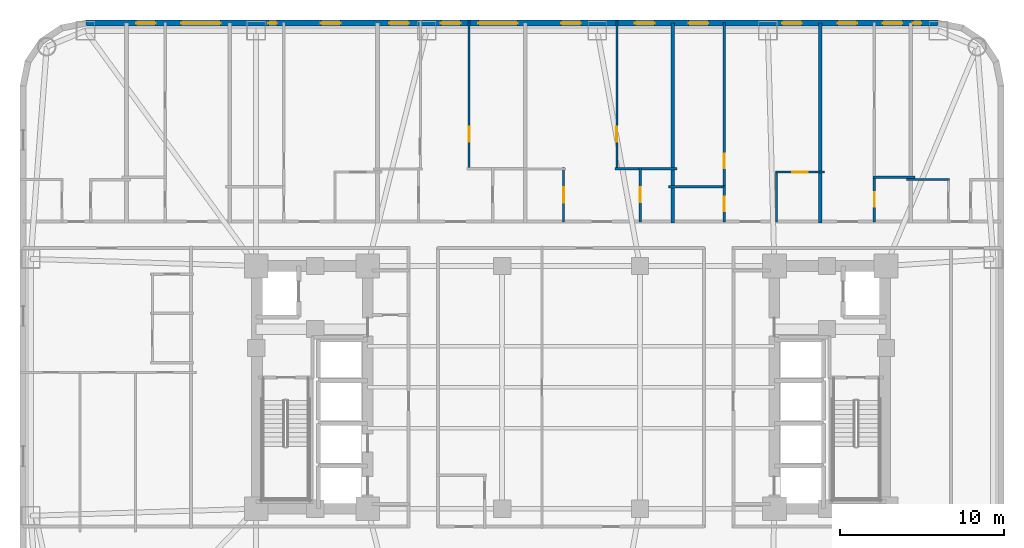
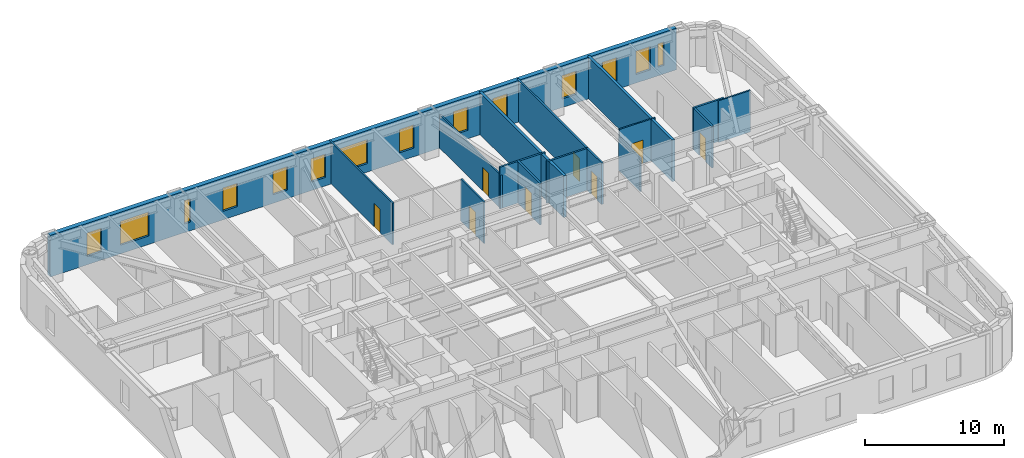
# One storey, part 8 of 11: 16 walls, 14 windows, 8 doors, 22 openings.
"""IFC4 building model written with IfcOpenShell, lengths in metres."""

from ifc_helpers import new_model, si_unit, direction, frame, frame_2d, origin, place, context, subcontext, project, spatial, rectangle, extrude, material, layer, layer_set, type_object, element, fill, save


model = new_model("IFC4")

# Units and contexts
model_context = context("Model", 3, precision=1e-05, world=origin(), true_north=direction((0.0, 1.0)))
body_context = subcontext(model_context, "Body", "Model", "MODEL_VIEW")
ifc_project = project(units=[si_unit("LENGTHUNIT", "METRE"), si_unit("AREAUNIT", "SQUARE_METRE"), si_unit("VOLUMEUNIT", "CUBIC_METRE"), si_unit("PLANEANGLEUNIT", "RADIAN"), si_unit("MASSUNIT", "GRAM", prefix="KILO")], contexts=[model_context])

# Site, building, storey
site_placement = place(None, origin())
site = spatial("IfcSite", under=ifc_project, at=site_placement, CompositionType="ELEMENT")
building_placement = place(site_placement, origin())
building = spatial("IfcBuilding", under=site, at=building_placement, Name="Voryun Gate Residences", CompositionType="ELEMENT")
storey_placement = place(building_placement, frame((0.0, 0.0, 33.800048828125)))
storey = spatial("IfcBuildingStorey", under=building, at=storey_placement, Name="L07", CompositionType="ELEMENT", Elevation=33.800048828125)

# Wall, openings, windows
ifc_material_1 = material(Name="Granite masonry", Category="masonry")
ifc_layer_1 = layer(ifc_material_1, 0.3798828125, Name="W_EXT_GRANITE_380")
ifc_layer_set_1 = layer_set([ifc_layer_1], Name="Granite masonry")
wall_type_1 = type_object("IfcWallType", Name="W_EXT_GRANITE_380", PredefinedType="ELEMENTEDWALL", material=ifc_layer_set_1)
wall_1_placement = place(storey_placement, frame((-29.581298828125, 22.2099609375, 0.0), z_axis=(0.0, 0.0, 1.0), x_axis=(1.0, 0.0, 0.0)))
wall_1 = element("IfcWall", 1, at=wall_1_placement, inside=storey, type_object=wall_type_1, Name="Exterior wall WEXT-L07-11", PredefinedType="ELEMENTEDWALL", context=body_context, shape_type="SweptSolid", body=[
    extrude(rectangle(XDim=51.962646484375, YDim=0.3798828125, at=frame_2d((25.9814453125, 0.0))), origin(), (0.0, 0.0, 1.0), 3.64990234375),
])
opening_1_placement = place(wall_1_placement, frame((5.810302734375, 0.0, 0.75)))
opening_1 = element("IfcOpeningElement", 2, at=opening_1_placement, cuts=wall_1, Name="Opening WN2", PredefinedType="OPENING", context=body_context, shape_type="SweptSolid", body=[
    extrude(rectangle(XDim=2.39990234375, YDim=2.10009765625, at=frame_2d((1.199951171875, 1.050048828125))), frame((0.0, 0.199951171875, 0.0), z_axis=(0.0, -1.0, 0.0), x_axis=(1.0, 0.0, 0.0)), (0.0, 0.0, 1.0), 0.39990234375),
])
opening_2_placement = place(wall_1_placement, frame((23.931396484375, 0.0, 0.75)))
opening_2 = element("IfcOpeningElement", 3, at=opening_2_placement, cuts=wall_1, Name="Opening WN2", PredefinedType="OPENING", context=body_context, shape_type="SweptSolid", body=[
    extrude(rectangle(XDim=2.39990234375, YDim=2.10009765625, at=frame_2d((1.199951171875, 1.050048828125))), frame((0.0, 0.199951171875, 0.0), z_axis=(0.0, -1.0, 0.0), x_axis=(1.0, 0.0, 0.0)), (0.0, 0.0, 1.0), 0.39990234375),
])
opening_3_placement = place(wall_1_placement, frame((3.056396484375, 0.0, 0.75)))
opening_3 = element("IfcOpeningElement", 4, at=opening_3_placement, cuts=wall_1, Name="Opening WN6", PredefinedType="OPENING", context=body_context, shape_type="SweptSolid", body=[
    extrude(rectangle(XDim=1.199951171875, YDim=2.050048828125, at=frame_2d((0.60009765625, 1.02490234375))), frame((0.0, 0.199951171875, 0.0), z_axis=(0.0, -1.0, 0.0), x_axis=(1.0, 0.0, 0.0)), (0.0, 0.0, 1.0), 0.39990234375),
])
opening_4_placement = place(wall_1_placement, frame((11.127197265625, 0.0, 0.75)))
opening_4 = element("IfcOpeningElement", 5, at=opening_4_placement, cuts=wall_1, Name="Opening WN10", PredefinedType="OPENING", context=body_context, shape_type="SweptSolid", body=[
    extrude(rectangle(XDim=0.52001953125, YDim=2.050048828125, at=frame_2d((0.260009765625, 1.02490234375))), frame((0.0, 0.199951171875, 0.0), z_axis=(0.0, -1.0, 0.0), x_axis=(1.0, 0.0, 0.0)), (0.0, 0.0, 1.0), 0.39990234375),
])
opening_5_placement = place(wall_1_placement, frame((14.327392578125, 0.0, 0.75)))
opening_5 = element("IfcOpeningElement", 6, at=opening_5_placement, cuts=wall_1, Name="Opening WN6", PredefinedType="OPENING", context=body_context, shape_type="SweptSolid", body=[
    extrude(rectangle(XDim=1.199951171875, YDim=2.050048828125, at=frame_2d((0.60009765625, 1.02490234375))), frame((0.0, 0.199951171875, 0.0), z_axis=(0.0, -1.0, 0.0), x_axis=(1.0, 0.0, 0.0)), (0.0, 0.0, 1.0), 0.39990234375),
])
opening_6_placement = place(wall_1_placement, frame((21.641357421875, 0.0, 0.75)))
opening_6 = element("IfcOpeningElement", 7, at=opening_6_placement, cuts=wall_1, Name="Opening WN6", PredefinedType="OPENING", context=body_context, shape_type="SweptSolid", body=[
    extrude(rectangle(XDim=1.199951171875, YDim=2.050048828125, at=frame_2d((0.60009765625, 1.02490234375))), frame((0.0, 0.199951171875, 0.0), z_axis=(0.0, -1.0, 0.0), x_axis=(1.0, 0.0, 0.0)), (0.0, 0.0, 1.0), 0.39990234375),
])
opening_7_placement = place(wall_1_placement, frame((18.486328125, 0.0, 0.75)))
opening_7 = element("IfcOpeningElement", 8, at=opening_7_placement, cuts=wall_1, Name="Opening WN6", PredefinedType="OPENING", context=body_context, shape_type="SweptSolid", body=[
    extrude(rectangle(XDim=1.199951171875, YDim=2.050048828125, at=frame_2d((0.60009765625, 1.02490234375))), frame((0.0, 0.199951171875, 0.0), z_axis=(0.0, -1.0, 0.0), x_axis=(1.0, 0.0, 0.0)), (0.0, 0.0, 1.0), 0.39990234375),
])
opening_8_placement = place(wall_1_placement, frame((28.976318359375, 0.0, 0.75)))
opening_8 = element("IfcOpeningElement", 9, at=opening_8_placement, cuts=wall_1, Name="Opening WN6", PredefinedType="OPENING", context=body_context, shape_type="SweptSolid", body=[
    extrude(rectangle(XDim=1.199951171875, YDim=2.050048828125, at=frame_2d((0.60009765625, 1.02490234375))), frame((0.0, 0.199951171875, 0.0), z_axis=(0.0, -1.0, 0.0), x_axis=(1.0, 0.0, 0.0)), (0.0, 0.0, 1.0), 0.39990234375),
])
opening_9_placement = place(wall_1_placement, frame((33.476318359375, 0.0, 0.75)))
opening_9 = element("IfcOpeningElement", 10, at=opening_9_placement, cuts=wall_1, Name="Opening WN6", PredefinedType="OPENING", context=body_context, shape_type="SweptSolid", body=[
    extrude(rectangle(XDim=1.199951171875, YDim=2.050048828125, at=frame_2d((0.60009765625, 1.02490234375))), frame((0.0, 0.199951171875, 0.0), z_axis=(0.0, -1.0, 0.0), x_axis=(1.0, 0.0, 0.0)), (0.0, 0.0, 1.0), 0.39990234375),
])
opening_10_placement = place(wall_1_placement, frame((36.751708984375, 0.0, 0.75)))
opening_10 = element("IfcOpeningElement", 11, at=opening_10_placement, cuts=wall_1, Name="Opening WN6", PredefinedType="OPENING", context=body_context, shape_type="SweptSolid", body=[
    extrude(rectangle(XDim=1.199951171875, YDim=2.050048828125, at=frame_2d((0.60009765625, 1.02490234375))), frame((0.0, 0.199951171875, 0.0), z_axis=(0.0, -1.0, 0.0), x_axis=(1.0, 0.0, 0.0)), (0.0, 0.0, 1.0), 0.39990234375),
])
opening_11_placement = place(wall_1_placement, frame((42.451904296875, 0.0, 0.75)))
opening_11 = element("IfcOpeningElement", 12, at=opening_11_placement, cuts=wall_1, Name="Opening WN6", PredefinedType="OPENING", context=body_context, shape_type="SweptSolid", body=[
    extrude(rectangle(XDim=1.199951171875, YDim=2.050048828125, at=frame_2d((0.60009765625, 1.02490234375))), frame((0.0, 0.199951171875, 0.0), z_axis=(0.0, -1.0, 0.0), x_axis=(1.0, 0.0, 0.0)), (0.0, 0.0, 1.0), 0.39990234375),
])
opening_12_placement = place(wall_1_placement, frame((45.830810546875, 0.0, 0.75)))
opening_12 = element("IfcOpeningElement", 13, at=opening_12_placement, cuts=wall_1, Name="Opening WN6", PredefinedType="OPENING", context=body_context, shape_type="SweptSolid", body=[
    extrude(rectangle(XDim=1.199951171875, YDim=2.050048828125, at=frame_2d((0.60009765625, 1.02490234375))), frame((0.0, 0.199951171875, 0.0), z_axis=(0.0, -1.0, 0.0), x_axis=(1.0, 0.0, 0.0)), (0.0, 0.0, 1.0), 0.39990234375),
])
opening_13_placement = place(wall_1_placement, frame((48.585205078125, 0.0, 0.75)))
opening_13 = element("IfcOpeningElement", 14, at=opening_13_placement, cuts=wall_1, Name="Opening WN6", PredefinedType="OPENING", context=body_context, shape_type="SweptSolid", body=[
    extrude(rectangle(XDim=1.199951171875, YDim=2.050048828125, at=frame_2d((0.60009765625, 1.02490234375))), frame((0.0, 0.199951171875, 0.0), z_axis=(0.0, -1.0, 0.0), x_axis=(1.0, 0.0, 0.0)), (0.0, 0.0, 1.0), 0.39990234375),
])
opening_14_placement = place(wall_1_placement, frame((50.42138671875, 0.0, 0.75)))
opening_14 = element("IfcOpeningElement", 15, at=opening_14_placement, cuts=wall_1, Name="Opening WN10", PredefinedType="OPENING", context=body_context, shape_type="SweptSolid", body=[
    extrude(rectangle(XDim=0.52001953125, YDim=2.050048828125, at=frame_2d((0.260009765625, 1.02490234375))), frame((0.0, 0.199951171875, 0.0), z_axis=(0.0, -1.0, 0.0), x_axis=(1.0, 0.0, 0.0)), (0.0, 0.0, 1.0), 0.39990234375),
])
ifc_material_2 = material(Name="Laminated low-E glass", Category="glass")
window_type_1 = type_object("IfcWindowType", Name="WN_PAGODA_LANCET_520", PartitioningType="SINGLE_PANEL", PredefinedType="WINDOW", material=ifc_material_2)
window_1_placement = place(opening_4_placement, origin())
window_1 = element("IfcWindow", 16, at=window_1_placement, inside=storey, type_object=window_type_1, Name="Window WN-L07-DWFIX-03", OverallHeight=2.050048828125, OverallWidth=0.52001953125, PartitioningType="SINGLE_PANEL", PredefinedType="WINDOW", context=body_context, shape_type="SweptSolid", body=[
    extrude(rectangle(XDim=0.52001953125, YDim=2.050048828125, at=frame_2d((0.260009765625, 1.02490234375))), frame((0.0, 0.030029296875, 0.0), z_axis=(0.0, -1.0, 0.0), x_axis=(1.0, 0.0, 0.0)), (0.0, 0.0, 1.0), 0.06005859375),
])
fill(opening_4, window_1)
window_2_placement = place(opening_14_placement, origin())
window_2 = element("IfcWindow", 17, at=window_2_placement, inside=storey, type_object=window_type_1, Name="Window WN-L07-DWFIX-13", OverallHeight=2.050048828125, OverallWidth=0.52001953125, PartitioningType="SINGLE_PANEL", PredefinedType="WINDOW", context=body_context, shape_type="SweptSolid", body=[
    extrude(rectangle(XDim=0.52001953125, YDim=2.050048828125, at=frame_2d((0.260009765625, 1.02490234375))), frame((0.0, 0.030029296875, 0.0), z_axis=(0.0, -1.0, 0.0), x_axis=(1.0, 0.0, 0.0)), (0.0, 0.0, 1.0), 0.06005859375),
])
fill(opening_14, window_2)
ifc_material_3 = material(Name="Laminated low-E glass", Category="glass")
window_type_2 = type_object("IfcWindowType", Name="WN_POD_SLOT_1200", PartitioningType="SINGLE_PANEL", PredefinedType="WINDOW", material=ifc_material_3)
window_3_placement = place(opening_3_placement, origin())
window_3 = element("IfcWindow", 18, at=window_3_placement, inside=storey, type_object=window_type_2, Name="Window WN-L07-DWFIX-02", OverallHeight=2.050048828125, OverallWidth=1.199951171875, PartitioningType="SINGLE_PANEL", PredefinedType="WINDOW", context=body_context, shape_type="SweptSolid", body=[
    extrude(rectangle(XDim=1.199951171875, YDim=2.050048828125, at=frame_2d((0.60009765625, 1.02490234375))), frame((0.0, 0.030029296875, 0.0), z_axis=(0.0, -1.0, 0.0), x_axis=(1.0, 0.0, 0.0)), (0.0, 0.0, 1.0), 0.06005859375),
])
fill(opening_3, window_3)
window_4_placement = place(opening_5_placement, origin())
window_4 = element("IfcWindow", 19, at=window_4_placement, inside=storey, type_object=window_type_2, Name="Window WN-L07-DWFIX-04", OverallHeight=2.050048828125, OverallWidth=1.199951171875, PartitioningType="SINGLE_PANEL", PredefinedType="WINDOW", context=body_context, shape_type="SweptSolid", body=[
    extrude(rectangle(XDim=1.199951171875, YDim=2.050048828125, at=frame_2d((0.60009765625, 1.02490234375))), frame((0.0, 0.030029296875, 0.0), z_axis=(0.0, -1.0, 0.0), x_axis=(1.0, 0.0, 0.0)), (0.0, 0.0, 1.0), 0.06005859375),
])
fill(opening_5, window_4)
window_5_placement = place(opening_6_placement, origin())
window_5 = element("IfcWindow", 20, at=window_5_placement, inside=storey, type_object=window_type_2, Name="Window WN-L07-DWFIX-05", OverallHeight=2.050048828125, OverallWidth=1.199951171875, PartitioningType="SINGLE_PANEL", PredefinedType="WINDOW", context=body_context, shape_type="SweptSolid", body=[
    extrude(rectangle(XDim=1.199951171875, YDim=2.050048828125, at=frame_2d((0.60009765625, 1.02490234375))), frame((0.0, 0.030029296875, 0.0), z_axis=(0.0, -1.0, 0.0), x_axis=(1.0, 0.0, 0.0)), (0.0, 0.0, 1.0), 0.06005859375),
])
fill(opening_6, window_5)
window_6_placement = place(opening_7_placement, origin())
window_6 = element("IfcWindow", 21, at=window_6_placement, inside=storey, type_object=window_type_2, Name="Window WN-L07-DWFIX-06", OverallHeight=2.050048828125, OverallWidth=1.199951171875, PartitioningType="SINGLE_PANEL", PredefinedType="WINDOW", context=body_context, shape_type="SweptSolid", body=[
    extrude(rectangle(XDim=1.199951171875, YDim=2.050048828125, at=frame_2d((0.60009765625, 1.02490234375))), frame((0.0, 0.030029296875, 0.0), z_axis=(0.0, -1.0, 0.0), x_axis=(1.0, 0.0, 0.0)), (0.0, 0.0, 1.0), 0.06005859375),
])
fill(opening_7, window_6)
window_7_placement = place(opening_8_placement, origin())
window_7 = element("IfcWindow", 22, at=window_7_placement, inside=storey, type_object=window_type_2, Name="Window WN-L07-DWFIX-07", OverallHeight=2.050048828125, OverallWidth=1.199951171875, PartitioningType="SINGLE_PANEL", PredefinedType="WINDOW", context=body_context, shape_type="SweptSolid", body=[
    extrude(rectangle(XDim=1.199951171875, YDim=2.050048828125, at=frame_2d((0.60009765625, 1.02490234375))), frame((0.0, 0.030029296875, 0.0), z_axis=(0.0, -1.0, 0.0), x_axis=(1.0, 0.0, 0.0)), (0.0, 0.0, 1.0), 0.06005859375),
])
fill(opening_8, window_7)
window_8_placement = place(opening_9_placement, origin())
window_8 = element("IfcWindow", 23, at=window_8_placement, inside=storey, type_object=window_type_2, Name="Window WN-L07-DWFIX-08", OverallHeight=2.050048828125, OverallWidth=1.199951171875, PartitioningType="SINGLE_PANEL", PredefinedType="WINDOW", context=body_context, shape_type="SweptSolid", body=[
    extrude(rectangle(XDim=1.199951171875, YDim=2.050048828125, at=frame_2d((0.60009765625, 1.02490234375))), frame((0.0, 0.030029296875, 0.0), z_axis=(0.0, -1.0, 0.0), x_axis=(1.0, 0.0, 0.0)), (0.0, 0.0, 1.0), 0.06005859375),
])
fill(opening_9, window_8)
window_9_placement = place(opening_10_placement, origin())
window_9 = element("IfcWindow", 24, at=window_9_placement, inside=storey, type_object=window_type_2, Name="Window WN-L07-DWFIX-09", OverallHeight=2.050048828125, OverallWidth=1.199951171875, PartitioningType="SINGLE_PANEL", PredefinedType="WINDOW", context=body_context, shape_type="SweptSolid", body=[
    extrude(rectangle(XDim=1.199951171875, YDim=2.050048828125, at=frame_2d((0.60009765625, 1.02490234375))), frame((0.0, 0.030029296875, 0.0), z_axis=(0.0, -1.0, 0.0), x_axis=(1.0, 0.0, 0.0)), (0.0, 0.0, 1.0), 0.06005859375),
])
fill(opening_10, window_9)
window_10_placement = place(opening_11_placement, origin())
window_10 = element("IfcWindow", 25, at=window_10_placement, inside=storey, type_object=window_type_2, Name="Window WN-L07-DWFIX-10", OverallHeight=2.050048828125, OverallWidth=1.199951171875, PartitioningType="SINGLE_PANEL", PredefinedType="WINDOW", context=body_context, shape_type="SweptSolid", body=[
    extrude(rectangle(XDim=1.199951171875, YDim=2.050048828125, at=frame_2d((0.60009765625, 1.02490234375))), frame((0.0, 0.030029296875, 0.0), z_axis=(0.0, -1.0, 0.0), x_axis=(1.0, 0.0, 0.0)), (0.0, 0.0, 1.0), 0.06005859375),
])
fill(opening_11, window_10)
window_11_placement = place(opening_12_placement, origin())
window_11 = element("IfcWindow", 26, at=window_11_placement, inside=storey, type_object=window_type_2, Name="Window WN-L07-DWFIX-11", OverallHeight=2.050048828125, OverallWidth=1.199951171875, PartitioningType="SINGLE_PANEL", PredefinedType="WINDOW", context=body_context, shape_type="SweptSolid", body=[
    extrude(rectangle(XDim=1.199951171875, YDim=2.050048828125, at=frame_2d((0.60009765625, 1.02490234375))), frame((0.0, 0.030029296875, 0.0), z_axis=(0.0, -1.0, 0.0), x_axis=(1.0, 0.0, 0.0)), (0.0, 0.0, 1.0), 0.06005859375),
])
fill(opening_12, window_11)
window_12_placement = place(opening_13_placement, origin())
window_12 = element("IfcWindow", 27, at=window_12_placement, inside=storey, type_object=window_type_2, Name="Window WN-L07-DWFIX-12", OverallHeight=2.050048828125, OverallWidth=1.199951171875, PartitioningType="SINGLE_PANEL", PredefinedType="WINDOW", context=body_context, shape_type="SweptSolid", body=[
    extrude(rectangle(XDim=1.199951171875, YDim=2.050048828125, at=frame_2d((0.60009765625, 1.02490234375))), frame((0.0, 0.030029296875, 0.0), z_axis=(0.0, -1.0, 0.0), x_axis=(1.0, 0.0, 0.0)), (0.0, 0.0, 1.0), 0.06005859375),
])
fill(opening_13, window_12)
ifc_material_4 = material(Name="Laminated low-E glass", Category="glass")
window_type_3 = type_object("IfcWindowType", Name="WN_RES_WIDE_2400", PartitioningType="SINGLE_PANEL", PredefinedType="WINDOW", material=ifc_material_4)
window_13_placement = place(opening_1_placement, origin())
window_13 = element("IfcWindow", 28, at=window_13_placement, inside=storey, type_object=window_type_3, Name="Window WN-WEXT-L07-11-01", OverallHeight=2.10009765625, OverallWidth=2.39990234375, PartitioningType="SINGLE_PANEL", PredefinedType="WINDOW", context=body_context, shape_type="SweptSolid", body=[
    extrude(rectangle(XDim=2.39990234375, YDim=2.10009765625, at=frame_2d((1.199951171875, 1.050048828125))), frame((0.0, 0.030029296875, 0.0), z_axis=(0.0, -1.0, 0.0), x_axis=(1.0, 0.0, 0.0)), (0.0, 0.0, 1.0), 0.06005859375),
])
fill(opening_1, window_13)
window_14_placement = place(opening_2_placement, origin())
window_14 = element("IfcWindow", 29, at=window_14_placement, inside=storey, type_object=window_type_3, Name="Window WN-WEXT-L07-11-02", OverallHeight=2.10009765625, OverallWidth=2.39990234375, PartitioningType="SINGLE_PANEL", PredefinedType="WINDOW", context=body_context, shape_type="SweptSolid", body=[
    extrude(rectangle(XDim=2.39990234375, YDim=2.10009765625, at=frame_2d((1.199951171875, 1.050048828125))), frame((0.0, 0.030029296875, 0.0), z_axis=(0.0, -1.0, 0.0), x_axis=(1.0, 0.0, 0.0)), (0.0, 0.0, 1.0), 0.06005859375),
])
fill(opening_2, window_14)

# Walls
ifc_material_5 = material(Name="Concrete C40/50", Category="concrete")
ifc_layer_2 = layer(ifc_material_5, 0.219970703125, Name="W_PARTY_ACOUSTIC_220")
ifc_layer_set_2 = layer_set([ifc_layer_2], Name="Concrete C40/50")
wall_type_2 = type_object("IfcWallType", Name="W_PARTY_ACOUSTIC_220", PredefinedType="PARTITIONING", material=ifc_layer_set_2)
for number, where, z_axis, x_axis, name in (
    (30, (6.199951171875, 10.02001953125, 0.0), (0.0, 0.0, 1.0), (0.0, 1.0, 0.0), "Partition wall WP-L07-NPTY-5"),
    (31, (15.199951171875, 10.02001953125, 0.0), (0.0, 0.0, 1.0), (0.0, 1.0, 0.0), "Partition wall WP-L07-NPTY-6"),
):
    element("IfcWall", number, at=place(storey_placement, frame(where, z_axis=z_axis, x_axis=x_axis)), inside=storey, type_object=wall_type_2, Name=name, PredefinedType="PARTITIONING", context=body_context, shape_type="SweptSolid", body=[
        extrude(rectangle(XDim=12.18994140625, YDim=0.219970703125, at=frame_2d((6.094970703125, 0.0))), origin(), (0.0, 0.0, 1.0), 3.64990234375),
    ])

# Wall, opening, door
ifc_material_6 = material(Name="Gypsum acoustic partition")
ifc_layer_3 = layer(ifc_material_6, 0.125, Name="W_UNIT_PART_125")
ifc_layer_set_3 = layer_set([ifc_layer_3], Name="Gypsum acoustic partition")
wall_type_3 = type_object("IfcWallType", Name="W_UNIT_PART_125", PredefinedType="PARTITIONING", material=ifc_layer_set_3)
wall_2_placement = place(storey_placement, frame((-6.2099609375, 13.239990234375, 0.0), z_axis=(0.0, 0.0, 1.0), x_axis=(0.0, 1.0, 0.0)))
wall_2 = element("IfcWall", 32, at=wall_2_placement, inside=storey, type_object=wall_type_3, Name="Partition wall WP-L07-N4-OVR", PredefinedType="PARTITIONING", context=body_context, shape_type="SweptSolid", body=[
    extrude(rectangle(XDim=9.1201171875, YDim=0.125, at=frame_2d((4.56005859375, 0.0))), origin(), (0.0, 0.0, 1.0), 3.64990234375),
])
opening_15_placement = place(wall_2_placement, frame((1.73876953125, 0.0, 0.0)))
opening_15 = element("IfcOpeningElement", 33, at=opening_15_placement, cuts=wall_2, Name="Opening D-INT-2", PredefinedType="OPENING", context=body_context, shape_type="SweptSolid", body=[
    extrude(rectangle(XDim=0.89990234375, YDim=2.050048828125, at=frame_2d((0.449951171875, 1.02490234375))), frame((0.0, 0.072509765625, 0.0), z_axis=(0.0, -1.0, 0.0), x_axis=(1.0, 0.0, 0.0)), (0.0, 0.0, 1.0), 0.14501953125),
])
ifc_material_7 = material(Name="Architectural oak veneer")
door_type_1 = type_object("IfcDoorType", Name="DR_INT_BATH_900", OperationType="NOTDEFINED", PredefinedType="DOOR", material=ifc_material_7)
door_1_placement = place(opening_15_placement, origin())
door_1 = element("IfcDoor", 34, at=door_1_placement, inside=storey, type_object=door_type_1, Name="Door DR-L07-N4-DMB", OperationType="SINGLE_SWING_RIGHT", OverallHeight=2.050048828125, OverallWidth=0.89990234375, PredefinedType="DOOR", context=body_context, shape_type="SweptSolid", body=[
    extrude(rectangle(XDim=0.89990234375, YDim=2.050048828125, at=frame_2d((0.449951171875, 1.02490234375))), frame((0.0, 0.02490234375, 0.0), z_axis=(0.0, -1.0, 0.0), x_axis=(1.0, 0.0, 0.0)), (0.0, 0.0, 1.0), 0.050048828125),
])
fill(opening_15, door_1)

wall_3_placement = place(storey_placement, frame((2.7900390625, 13.239990234375, 0.0), z_axis=(0.0, 0.0, 1.0), x_axis=(0.0, 1.0, 0.0)))
wall_3 = element("IfcWall", 35, at=wall_3_placement, inside=storey, type_object=wall_type_3, Name="Partition wall WP-L07-N5-OVR", PredefinedType="PARTITIONING", context=body_context, shape_type="SweptSolid", body=[
    extrude(rectangle(XDim=9.1201171875, YDim=0.125, at=frame_2d((4.56005859375, 0.0))), origin(), (0.0, 0.0, 1.0), 2.93994140625),
])
opening_16_placement = place(wall_3_placement, frame((1.73876953125, 0.0, 0.0)))
opening_16 = element("IfcOpeningElement", 36, at=opening_16_placement, cuts=wall_3, Name="Opening D-INT-2", PredefinedType="OPENING", context=body_context, shape_type="SweptSolid", body=[
    extrude(rectangle(XDim=0.89990234375, YDim=2.050048828125, at=frame_2d((0.449951171875, 1.02490234375))), frame((0.0, 0.072509765625, 0.0), z_axis=(0.0, -1.0, 0.0), x_axis=(1.0, 0.0, 0.0)), (0.0, 0.0, 1.0), 0.14501953125),
])
door_2_placement = place(opening_16_placement, origin())
door_2 = element("IfcDoor", 37, at=door_2_placement, inside=storey, type_object=door_type_1, Name="Door DR-L07-N5-DMB", OperationType="SINGLE_SWING_RIGHT", OverallHeight=2.050048828125, OverallWidth=0.89990234375, PredefinedType="DOOR", context=body_context, shape_type="SweptSolid", body=[
    extrude(rectangle(XDim=0.89990234375, YDim=2.050048828125, at=frame_2d((0.449951171875, 1.02490234375))), frame((0.0, 0.02490234375, 0.0), z_axis=(0.0, -1.0, 0.0), x_axis=(1.0, 0.0, 0.0)), (0.0, 0.0, 1.0), 0.050048828125),
])
fill(opening_16, door_2)

wall_4_placement = place(storey_placement, frame((-0.448974609375, 10.080078125, 0.0), z_axis=(0.0, 0.0, 1.0), x_axis=(0.0, 1.0, 0.0)))
wall_4 = element("IfcWall", 38, at=wall_4_placement, inside=storey, type_object=wall_type_3, Name="Partition wall WP-L07-N5-IVK", PredefinedType="PARTITIONING", context=body_context, shape_type="SweptSolid", body=[
    extrude(rectangle(XDim=3.31982421875, YDim=0.125, at=frame_2d((1.659912109375, 0.0))), origin(), (0.0, 0.0, 1.0), 3.64990234375),
])
opening_17_placement = place(wall_4_placement, frame((1.18505859375, 0.0, 0.0)))
opening_17 = element("IfcOpeningElement", 39, at=opening_17_placement, cuts=wall_4, Name="Opening D-INT-1", PredefinedType="OPENING", context=body_context, shape_type="SweptSolid", body=[
    extrude(rectangle(XDim=0.949951171875, YDim=2.050048828125, at=frame_2d((0.47509765625, 1.02490234375))), frame((0.0, 0.072509765625, 0.0), z_axis=(0.0, -1.0, 0.0), x_axis=(1.0, 0.0, 0.0)), (0.0, 0.0, 1.0), 0.14501953125),
])
ifc_material_8 = material(Name="Architectural oak veneer")
door_type_2 = type_object("IfcDoorType", Name="DR_INT_ROOM_950", OperationType="NOTDEFINED", PredefinedType="DOOR", material=ifc_material_8)
door_3_placement = place(opening_17_placement, origin())
door_3 = element("IfcDoor", 40, at=door_3_placement, inside=storey, type_object=door_type_2, Name="Door DR-L07-N5-DK", OperationType="SINGLE_SWING_LEFT", OverallHeight=2.050048828125, OverallWidth=0.949951171875, PredefinedType="DOOR", context=body_context, shape_type="SweptSolid", body=[
    extrude(rectangle(XDim=0.949951171875, YDim=2.050048828125, at=frame_2d((0.47509765625, 1.02490234375))), frame((0.0, 0.02490234375, 0.0), z_axis=(0.0, -1.0, 0.0), x_axis=(1.0, 0.0, 0.0)), (0.0, 0.0, 1.0), 0.050048828125),
])
fill(opening_17, door_3)

wall_5_placement = place(storey_placement, frame((12.469970703125, 13.1201171875, 0.0), z_axis=(0.0, 0.0, 1.0), x_axis=(1.0, 0.0, 0.0)))
wall_5 = element("IfcWall", 41, at=wall_5_placement, inside=storey, type_object=wall_type_3, Name="Partition wall WP-L07-N6-KHY", PredefinedType="PARTITIONING", context=body_context, shape_type="SweptSolid", body=[
    extrude(rectangle(XDim=2.989990234375, YDim=0.125, at=frame_2d((1.4951171875, 0.0))), origin(), (0.0, 0.0, 1.0), 3.64990234375),
])
opening_18_placement = place(wall_5_placement, frame((1.02001953125, 0.0, 0.0)))
opening_18 = element("IfcOpeningElement", 42, at=opening_18_placement, cuts=wall_5, Name="Opening D-INT-1", PredefinedType="OPENING", context=body_context, shape_type="SweptSolid", body=[
    extrude(rectangle(XDim=0.949951171875, YDim=2.050048828125, at=frame_2d((0.47509765625, 1.02490234375))), frame((0.0, 0.072509765625, 0.0), z_axis=(0.0, -1.0, 0.0), x_axis=(1.0, 0.0, 0.0)), (0.0, 0.0, 1.0), 0.14501953125),
])
door_4_placement = place(opening_18_placement, origin())
door_4 = element("IfcDoor", 43, at=door_4_placement, inside=storey, type_object=door_type_2, Name="Door DR-L07-N6-DK", OperationType="SINGLE_SWING_LEFT", OverallHeight=2.050048828125, OverallWidth=0.949951171875, PredefinedType="DOOR", context=body_context, shape_type="SweptSolid", body=[
    extrude(rectangle(XDim=0.949951171875, YDim=2.050048828125, at=frame_2d((0.47509765625, 1.02490234375))), frame((0.0, 0.02490234375, 0.0), z_axis=(0.0, -1.0, 0.0), x_axis=(1.0, 0.0, 0.0)), (0.0, 0.0, 1.0), 0.050048828125),
])
fill(opening_18, door_4)

# Walls
wall_6_placement = place(storey_placement, frame((12.530029296875, 10.080078125, 0.0), z_axis=(0.0, 0.0, 1.0), x_axis=(0.0, 1.0, 0.0)))
element("IfcWall", 44, at=wall_6_placement, inside=storey, type_object=wall_type_3, Name="Partition wall WP-L07-N6-KVX", PredefinedType="PARTITIONING", context=body_context, shape_type="SweptSolid", body=[
    extrude(rectangle(XDim=3.099853515625, YDim=0.125, at=frame_2d((1.5498046875, 0.0))), origin(), (0.0, 0.0, 1.0), 2.93994140625),
])
wall_7_placement = place(storey_placement, frame((20.448974609375, 12.669921875, 0.0), z_axis=(0.0, 0.0, 1.0), x_axis=(1.0, 0.0, 0.0)))
element("IfcWall", 45, at=wall_7_placement, inside=storey, type_object=wall_type_3, Name="Partition wall WP-L07-N8-CHK", PredefinedType="PARTITIONING", context=body_context, shape_type="SweptSolid", body=[
    extrude(rectangle(XDim=2.630126953125, YDim=0.125, at=frame_2d((1.31494140625, 0.0))), origin(), (0.0, 0.0, 1.0), 3.64990234375),
])
ifc_material_9 = material(Name="Gypsum moisture-resistant partition")
ifc_layer_4 = layer(ifc_material_9, 0.14990234375, Name="W_WET_PLUMB_150")
ifc_layer_set_4 = layer_set([ifc_layer_4], Name="Gypsum moisture-resistant partition")
wall_type_4 = type_object("IfcWallType", Name="W_WET_PLUMB_150", PredefinedType="PLUMBINGWALL", material=ifc_layer_set_4)
wall_8_placement = place(storey_placement, frame((2.669921875, 13.320068359375, 0.0), z_axis=(0.0, 0.0, 1.0), x_axis=(1.0, 0.0, 0.0)))
element("IfcWall", 46, at=wall_8_placement, inside=storey, type_object=wall_type_4, Name="Partition wall WP-L07-N5-HZB", PredefinedType="PLUMBINGWALL", context=body_context, shape_type="SweptSolid", body=[
    extrude(rectangle(XDim=3.7900390625, YDim=0.14990234375, at=frame_2d((1.89501953125, 0.0))), origin(), (0.0, 0.0, 1.0), 3.64990234375),
])

# Wall, opening, door
wall_9_placement = place(storey_placement, frame((4.219970703125, 10.080078125, 0.0), z_axis=(0.0, 0.0, 1.0), x_axis=(0.0, 1.0, 0.0)))
wall_9 = element("IfcWall", 47, at=wall_9_placement, inside=storey, type_object=wall_type_4, Name="Partition wall WP-L07-N5-IVB", PredefinedType="PLUMBINGWALL", context=body_context, shape_type="SweptSolid", body=[
    extrude(rectangle(XDim=3.31982421875, YDim=0.14990234375, at=frame_2d((1.659912109375, 0.0))), origin(), (0.0, 0.0, 1.0), 3.64990234375),
])
opening_19_placement = place(wall_9_placement, frame((1.2099609375, 0.0, 0.0)))
opening_19 = element("IfcOpeningElement", 48, at=opening_19_placement, cuts=wall_9, Name="Opening D-INT-2", PredefinedType="OPENING", context=body_context, shape_type="SweptSolid", body=[
    extrude(rectangle(XDim=0.89990234375, YDim=2.050048828125, at=frame_2d((0.449951171875, 1.02490234375))), frame((0.0, 0.0849609375, 0.0), z_axis=(0.0, -1.0, 0.0), x_axis=(1.0, 0.0, 0.0)), (0.0, 0.0, 1.0), 0.169921875),
])
door_5_placement = place(opening_19_placement, origin())
door_5 = element("IfcDoor", 49, at=door_5_placement, inside=storey, type_object=door_type_1, Name="Door DR-L07-N5-DB", OperationType="SINGLE_SWING_RIGHT", OverallHeight=2.050048828125, OverallWidth=0.89990234375, PredefinedType="DOOR", context=body_context, shape_type="SweptSolid", body=[
    extrude(rectangle(XDim=0.89990234375, YDim=2.050048828125, at=frame_2d((0.449951171875, 1.02490234375))), frame((0.0, 0.02490234375, 0.0), z_axis=(0.0, -1.0, 0.0), x_axis=(1.0, 0.0, 0.0)), (0.0, 0.0, 1.0), 0.050048828125),
])
fill(opening_19, door_5)

# Wall
wall_10_placement = place(storey_placement, frame((5.93994140625, 12.239990234375, 0.0), z_axis=(0.0, 0.0, 1.0), x_axis=(1.0, 0.0, 0.0)))
element("IfcWall", 50, at=wall_10_placement, inside=storey, type_object=wall_type_4, Name="Partition wall WP-L07-N6-LHY", PredefinedType="PLUMBINGWALL", context=body_context, shape_type="SweptSolid", body=[
    extrude(rectangle(XDim=3.48095703125, YDim=0.14990234375, at=frame_2d((1.740478515625, 0.0))), origin(), (0.0, 0.0, 1.0), 3.64990234375),
])

# Wall, opening, door
wall_11_placement = place(storey_placement, frame((9.341064453125, 10.080078125, 0.0), z_axis=(0.0, 0.0, 1.0), x_axis=(0.0, 1.0, 0.0)))
wall_11 = element("IfcWall", 51, at=wall_11_placement, inside=storey, type_object=wall_type_4, Name="Partition wall WP-L07-N6-LVX1", PredefinedType="PLUMBINGWALL", context=body_context, shape_type="SweptSolid", body=[
    extrude(rectangle(XDim=2.199951171875, YDim=0.14990234375, at=frame_2d((1.10009765625, 0.0))), origin(), (0.0, 0.0, 1.0), 3.64990234375),
])
opening_20_placement = place(wall_11_placement, frame((0.64990234375, 0.0, 0.0)))
opening_20 = element("IfcOpeningElement", 52, at=opening_20_placement, cuts=wall_11, Name="Opening D-INT-2", PredefinedType="OPENING", context=body_context, shape_type="SweptSolid", body=[
    extrude(rectangle(XDim=0.89990234375, YDim=2.050048828125, at=frame_2d((0.449951171875, 1.02490234375))), frame((0.0, 0.0849609375, 0.0), z_axis=(0.0, -1.0, 0.0), x_axis=(1.0, 0.0, 0.0)), (0.0, 0.0, 1.0), 0.169921875),
])
door_6_placement = place(opening_20_placement, origin())
door_6 = element("IfcDoor", 53, at=door_6_placement, inside=storey, type_object=door_type_1, Name="Door DR-L07-N6-DB", OperationType="SINGLE_SWING_LEFT", OverallHeight=2.050048828125, OverallWidth=0.89990234375, PredefinedType="DOOR", context=body_context, shape_type="SweptSolid", body=[
    extrude(rectangle(XDim=0.89990234375, YDim=2.050048828125, at=frame_2d((0.449951171875, 1.02490234375))), frame((0.0, 0.02490234375, 0.0), z_axis=(0.0, -1.0, 0.0), x_axis=(1.0, 0.0, 0.0)), (0.0, 0.0, 1.0), 0.050048828125),
])
fill(opening_20, door_6)

wall_12_placement = place(storey_placement, frame((9.341064453125, 12.199951171875, 0.0), z_axis=(0.0, 0.0, 1.0), x_axis=(0.0, 1.0, 0.0)))
wall_12 = element("IfcWall", 54, at=wall_12_placement, inside=storey, type_object=wall_type_4, Name="Partition wall WP-L07-N6-LVX2", PredefinedType="PLUMBINGWALL", context=body_context, shape_type="SweptSolid", body=[
    extrude(rectangle(XDim=10.0576171875, YDim=0.14990234375, at=frame_2d((5.02880859375, 0.0))), origin(), (0.0, 0.0, 1.0), 3.64990234375),
])
opening_21_placement = place(wall_12_placement, frame((1.1591796875, 0.0, 0.0)))
opening_21 = element("IfcOpeningElement", 55, at=opening_21_placement, cuts=wall_12, Name="Opening D-INT-2", PredefinedType="OPENING", context=body_context, shape_type="SweptSolid", body=[
    extrude(rectangle(XDim=0.89990234375, YDim=2.050048828125, at=frame_2d((0.449951171875, 1.02490234375))), frame((0.0, 0.0849609375, 0.0), z_axis=(0.0, -1.0, 0.0), x_axis=(1.0, 0.0, 0.0)), (0.0, 0.0, 1.0), 0.169921875),
])
door_7_placement = place(opening_21_placement, origin())
door_7 = element("IfcDoor", 56, at=door_7_placement, inside=storey, type_object=door_type_1, Name="Door DR-L07-N6-DMB", OperationType="SINGLE_SWING_RIGHT", OverallHeight=2.050048828125, OverallWidth=0.89990234375, PredefinedType="DOOR", context=body_context, shape_type="SweptSolid", body=[
    extrude(rectangle(XDim=0.89990234375, YDim=2.050048828125, at=frame_2d((0.449951171875, 1.02490234375))), frame((0.0, 0.02490234375, 0.0), z_axis=(0.0, -1.0, 0.0), x_axis=(1.0, 0.0, 0.0)), (0.0, 0.0, 1.0), 0.050048828125),
])
fill(opening_21, door_7)

# Wall
wall_13_placement = place(storey_placement, frame((18.4189453125, 12.800048828125, 0.0), z_axis=(0.0, 0.0, 1.0), x_axis=(1.0, 0.0, 0.0)))
element("IfcWall", 57, at=wall_13_placement, inside=storey, type_object=wall_type_4, Name="Partition wall WP-L07-N7-SKB", PredefinedType="PLUMBINGWALL", context=body_context, shape_type="SweptSolid", body=[
    extrude(rectangle(XDim=2.550048828125, YDim=0.14990234375, at=frame_2d((1.27490234375, 0.0))), origin(), (0.0, 0.0, 1.0), 3.64990234375),
])

# Wall, opening, door
wall_14_placement = place(storey_placement, frame((18.4990234375, 10.080078125, 0.0), z_axis=(0.0, 0.0, 1.0), x_axis=(0.0, 1.0, 0.0)))
wall_14 = element("IfcWall", 58, at=wall_14_placement, inside=storey, type_object=wall_type_4, Name="Partition wall WP-L07-N7-SVT1", PredefinedType="PLUMBINGWALL", context=body_context, shape_type="SweptSolid", body=[
    extrude(rectangle(XDim=2.760009765625, YDim=0.14990234375, at=frame_2d((1.3798828125, 0.0))), origin(), (0.0, 0.0, 1.0), 3.64990234375),
])
opening_22_placement = place(wall_14_placement, frame((0.929931640625, 0.0, 0.0)))
opening_22 = element("IfcOpeningElement", 59, at=opening_22_placement, cuts=wall_14, Name="Opening D-INT-2", PredefinedType="OPENING", context=body_context, shape_type="SweptSolid", body=[
    extrude(rectangle(XDim=0.89990234375, YDim=2.050048828125, at=frame_2d((0.449951171875, 1.02490234375))), frame((0.0, 0.0849609375, 0.0), z_axis=(0.0, -1.0, 0.0), x_axis=(1.0, 0.0, 0.0)), (0.0, 0.0, 1.0), 0.169921875),
])
door_8_placement = place(opening_22_placement, origin())
door_8 = element("IfcDoor", 60, at=door_8_placement, inside=storey, type_object=door_type_1, Name="Door DR-L07-N7-DB", OperationType="SINGLE_SWING_LEFT", OverallHeight=2.050048828125, OverallWidth=0.89990234375, PredefinedType="DOOR", context=body_context, shape_type="SweptSolid", body=[
    extrude(rectangle(XDim=0.89990234375, YDim=2.050048828125, at=frame_2d((0.449951171875, 1.02490234375))), frame((0.0, 0.02490234375, 0.0), z_axis=(0.0, -1.0, 0.0), x_axis=(1.0, 0.0, 0.0)), (0.0, 0.0, 1.0), 0.050048828125),
])
fill(opening_22, door_8)

save(model, "model.ifc")
